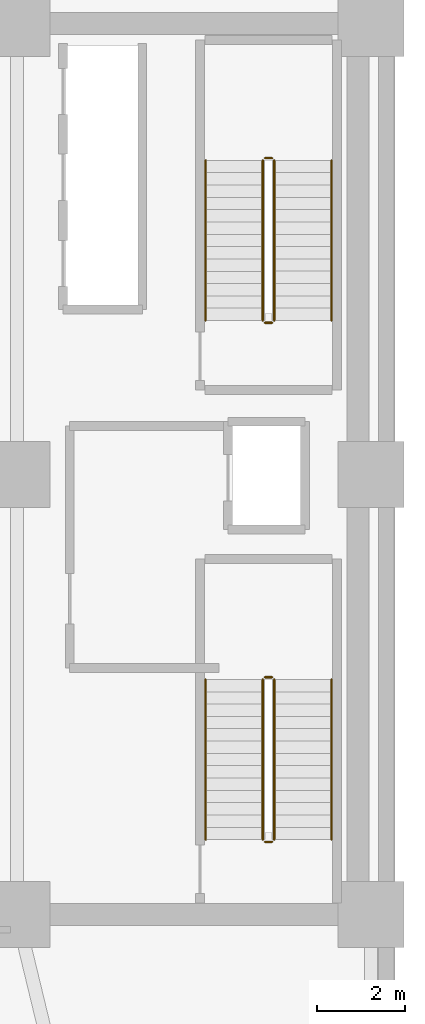
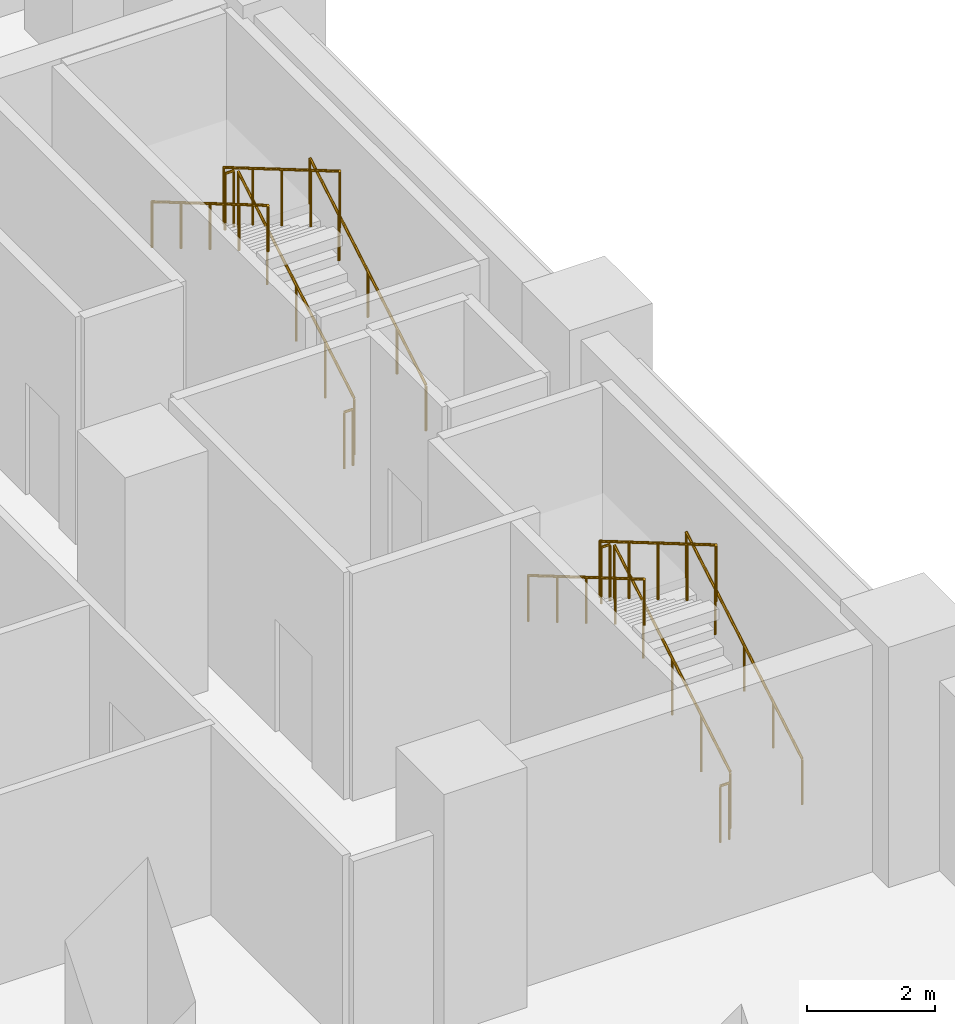
# One storey, part 14 of 14: 12 railings.
"""IFC4 building model written with IfcOpenShell, lengths in metres."""

from ifc_helpers import new_model, si_unit, direction, frame, origin, origin_2d, place, context, subcontext, project, spatial, circle, extrude, material, layer, layer_set, type_object, element, save


model = new_model("IFC4")

# Units and contexts
model_context = context("Model", 3, precision=1e-05, world=origin(), true_north=direction((0.0, 1.0)))
body_context = subcontext(model_context, "Body", "Model", "MODEL_VIEW")
ifc_project = project(units=[si_unit("LENGTHUNIT", "METRE"), si_unit("AREAUNIT", "SQUARE_METRE"), si_unit("VOLUMEUNIT", "CUBIC_METRE"), si_unit("PLANEANGLEUNIT", "RADIAN"), si_unit("MASSUNIT", "GRAM", prefix="KILO")], contexts=[model_context])

# Site, building, storey
site_placement = place(None, origin())
site = spatial("IfcSite", under=ifc_project, at=site_placement, CompositionType="ELEMENT")
building_placement = place(site_placement, origin())
building = spatial("IfcBuilding", under=site, at=building_placement, Name="Kuzgunbayir Cultural Tower", CompositionType="ELEMENT")
storey_placement = place(building_placement, frame((0.0, 0.0, 13.0)))
storey = spatial("IfcBuildingStorey", under=building, at=storey_placement, Name="L03", CompositionType="ELEMENT", Elevation=13.0)

# Railings
ifc_material_1 = material(Name="Brushed Stainless Steel", Category="steel")
ifc_layer_1 = layer(ifc_material_1, 0.050048828125)
ifc_layer_set_1 = layer_set([ifc_layer_1], Name="Brushed Stainless Steel")
railing_type_1 = type_object("IfcRailingType", Name="RLG-STAIR-HANDRAIL", PredefinedType="HANDRAIL", material=ifc_layer_set_1)
railing_1_placement = place(storey_placement, frame((71.75, 23.699951171875, 0.164306640625)))
element("IfcRailing", 1, at=railing_1_placement, inside=storey, type_object=railing_type_1, Name="L03 ST-3 stair handrail 1", PredefinedType="HANDRAIL", context=body_context, shape_type="SweptSolid", body=[
    extrude(circle(Radius=0.02392578125, at=origin_2d()), frame((0.0, 0.0, 0.8759765625), z_axis=(0.0, 0.862504707072, 0.506049039401), x_axis=(-1.0, 0.0, 0.0)), (0.0, 0.0, 1.0), 4.220458984375),
    extrude(circle(Radius=0.02099609375, at=origin_2d()), origin(), (0.0, 0.0, 1.0), 0.851806640625),
    extrude(circle(Radius=0.02099609375, at=origin_2d()), frame((0.0, 0.91015625, 0.533935546875)), (0.0, 0.0, 1.0), 0.851806640625),
    extrude(circle(Radius=0.02099609375, at=origin_2d()), frame((0.0, 1.820068359375, 1.06787109375)), (0.0, 0.0, 1.0), 0.851806640625),
    extrude(circle(Radius=0.02099609375, at=origin_2d()), frame((0.0, 2.72998046875, 1.601806640625)), (0.0, 0.0, 1.0), 0.851806640625),
    extrude(circle(Radius=0.02099609375, at=origin_2d()), frame((0.0, 3.64013671875, 2.1357421875)), (0.0, 0.0, 1.0), 0.851806640625),
])
railing_2_placement = place(storey_placement, frame((68.889892578125, 27.340087890625, 2.46435546875)))
element("IfcRailing", 2, at=railing_2_placement, inside=storey, type_object=railing_type_1, Name="L03 ST-3 stair handrail 2", PredefinedType="HANDRAIL", context=body_context, shape_type="SweptSolid", body=[
    extrude(circle(Radius=0.02392578125, at=origin_2d()), frame((0.0, 0.0, 0.8759765625), z_axis=(0.0, -0.862504707072, 0.506049039401), x_axis=(1.0, 0.0, 0.0)), (0.0, 0.0, 1.0), 4.220458984375),
    extrude(circle(Radius=0.02099609375, at=origin_2d()), origin(), (0.0, 0.0, 1.0), 0.851806640625),
    extrude(circle(Radius=0.02099609375, at=origin_2d()), frame((0.0, -0.91015625, 0.533935546875)), (0.0, 0.0, 1.0), 0.851806640625),
    extrude(circle(Radius=0.02099609375, at=origin_2d()), frame((0.0, -1.820068359375, 1.06787109375)), (0.0, 0.0, 1.0), 0.851806640625),
    extrude(circle(Radius=0.02099609375, at=origin_2d()), frame((0.0, -2.72998046875, 1.601806640625)), (0.0, 0.0, 1.0), 0.851806640625),
    extrude(circle(Radius=0.02099609375, at=origin_2d()), frame((0.0, -3.64013671875, 2.1357421875)), (0.0, 0.0, 1.0), 0.851806640625),
])
railing_3_placement = place(storey_placement, frame((71.75, 35.5, 0.164306640625)))
element("IfcRailing", 3, at=railing_3_placement, inside=storey, type_object=railing_type_1, Name="L03 ST-4 stair handrail 1", PredefinedType="HANDRAIL", context=body_context, shape_type="SweptSolid", body=[
    extrude(circle(Radius=0.02392578125, at=origin_2d()), frame((0.0, 0.0, 0.8759765625), z_axis=(0.0, 0.862489892076, 0.506074289079), x_axis=(-1.0, 0.0, 0.0)), (0.0, 0.0, 1.0), 4.22021484375),
    extrude(circle(Radius=0.02099609375, at=origin_2d()), origin(), (0.0, 0.0, 1.0), 0.851806640625),
    extrude(circle(Radius=0.02099609375, at=origin_2d()), frame((0.0, 0.909912109375, 0.533935546875)), (0.0, 0.0, 1.0), 0.851806640625),
    extrude(circle(Radius=0.02099609375, at=origin_2d()), frame((0.0, 1.81982421875, 1.06787109375)), (0.0, 0.0, 1.0), 0.851806640625),
    extrude(circle(Radius=0.02099609375, at=origin_2d()), frame((0.0, 2.72998046875, 1.601806640625)), (0.0, 0.0, 1.0), 0.851806640625),
    extrude(circle(Radius=0.02099609375, at=origin_2d()), frame((0.0, 3.639892578125, 2.1357421875)), (0.0, 0.0, 1.0), 0.851806640625),
])
railing_4_placement = place(storey_placement, frame((68.889892578125, 39.139892578125, 2.46435546875)))
element("IfcRailing", 4, at=railing_4_placement, inside=storey, type_object=railing_type_1, Name="L03 ST-4 stair handrail 2", PredefinedType="HANDRAIL", context=body_context, shape_type="SweptSolid", body=[
    extrude(circle(Radius=0.02392578125, at=origin_2d()), frame((0.0, 0.0, 0.8759765625), z_axis=(0.0, -0.862489892076, 0.506074289079), x_axis=(1.0, 0.0, 0.0)), (0.0, 0.0, 1.0), 4.22021484375),
    extrude(circle(Radius=0.02099609375, at=origin_2d()), origin(), (0.0, 0.0, 1.0), 0.851806640625),
    extrude(circle(Radius=0.02099609375, at=origin_2d()), frame((0.0, -0.909912109375, 0.533935546875)), (0.0, 0.0, 1.0), 0.851806640625),
    extrude(circle(Radius=0.02099609375, at=origin_2d()), frame((0.0, -1.81982421875, 1.06787109375)), (0.0, 0.0, 1.0), 0.851806640625),
    extrude(circle(Radius=0.02099609375, at=origin_2d()), frame((0.0, -2.72998046875, 1.601806640625)), (0.0, 0.0, 1.0), 0.851806640625),
    extrude(circle(Radius=0.02099609375, at=origin_2d()), frame((0.0, -3.639892578125, 2.1357421875)), (0.0, 0.0, 1.0), 0.851806640625),
])
ifc_material_2 = material(Name="Painted Steel Balustrade", Category="steel")
ifc_layer_2 = layer(ifc_material_2, 0.06005859375)
ifc_layer_set_2 = layer_set([ifc_layer_2], Name="Painted Steel Balustrade")
railing_type_2 = type_object("IfcRailingType", Name="RLG-WELL-GUARD", PredefinedType="GUARDRAIL", material=ifc_layer_set_2)
railing_5_placement = place(storey_placement, frame((70.449951171875, 23.699951171875, 0.164306640625)))
element("IfcRailing", 5, at=railing_5_placement, inside=storey, type_object=railing_type_2, Name="L03 ST-3 stair guard 1", PredefinedType="GUARDRAIL", context=body_context, shape_type="SweptSolid", body=[
    extrude(circle(Radius=0.02392578125, at=origin_2d()), frame((0.0, 0.0, 1.076171875), z_axis=(0.0, 0.862504707072, 0.506049039401), x_axis=(-1.0, 0.0, 0.0)), (0.0, 0.0, 1.0), 4.220458984375),
    extrude(circle(Radius=0.02099609375, at=origin_2d()), origin(), (0.0, 0.0, 1.0), 1.052001953125),
    extrude(circle(Radius=0.02099609375, at=origin_2d()), frame((0.0, 0.91015625, 0.533935546875)), (0.0, 0.0, 1.0), 1.052001953125),
    extrude(circle(Radius=0.02099609375, at=origin_2d()), frame((0.0, 1.820068359375, 1.06787109375)), (0.0, 0.0, 1.0), 1.052001953125),
    extrude(circle(Radius=0.02099609375, at=origin_2d()), frame((0.0, 2.72998046875, 1.601806640625)), (0.0, 0.0, 1.0), 1.052001953125),
    extrude(circle(Radius=0.02099609375, at=origin_2d()), frame((0.0, 3.64013671875, 2.1357421875)), (0.0, 0.0, 1.0), 1.052001953125),
])
railing_6_placement = place(storey_placement, frame((70.39990234375, 27.389892578125, 2.300048828125)))
element("IfcRailing", 6, at=railing_6_placement, inside=storey, type_object=railing_type_2, Name="L03 ST-3 stair guard 2", PredefinedType="GUARDRAIL", context=body_context, shape_type="SweptSolid", body=[
    extrude(circle(Radius=0.02392578125, at=origin_2d()), frame((0.0, 0.0, 1.076171875), z_axis=(-1.0, 0.0, 0.0), x_axis=(0.0, -1.0, 0.0)), (0.0, 0.0, 1.0), 0.159912109375),
    extrude(circle(Radius=0.02099609375, at=origin_2d()), origin(), (0.0, 0.0, 1.0), 1.052001953125),
    extrude(circle(Radius=0.02099609375, at=origin_2d()), frame((-0.159912109375, 0.0, 0.0)), (0.0, 0.0, 1.0), 1.052001953125),
])
railing_7_placement = place(storey_placement, frame((70.18994140625, 27.340087890625, 2.46435546875)))
element("IfcRailing", 7, at=railing_7_placement, inside=storey, type_object=railing_type_2, Name="L03 ST-3 stair guard 3", PredefinedType="GUARDRAIL", context=body_context, shape_type="SweptSolid", body=[
    extrude(circle(Radius=0.02392578125, at=origin_2d()), frame((0.0, 0.0, 1.076171875), z_axis=(0.0, -0.862504707072, 0.506049039401), x_axis=(1.0, 0.0, 0.0)), (0.0, 0.0, 1.0), 4.220458984375),
    extrude(circle(Radius=0.02099609375, at=origin_2d()), origin(), (0.0, 0.0, 1.0), 1.052001953125),
    extrude(circle(Radius=0.02099609375, at=origin_2d()), frame((0.0, -0.91015625, 0.533935546875)), (0.0, 0.0, 1.0), 1.052001953125),
    extrude(circle(Radius=0.02099609375, at=origin_2d()), frame((0.0, -1.820068359375, 1.06787109375)), (0.0, 0.0, 1.0), 1.052001953125),
    extrude(circle(Radius=0.02099609375, at=origin_2d()), frame((0.0, -2.72998046875, 1.601806640625)), (0.0, 0.0, 1.0), 1.052001953125),
    extrude(circle(Radius=0.02099609375, at=origin_2d()), frame((0.0, -3.64013671875, 2.1357421875)), (0.0, 0.0, 1.0), 1.052001953125),
])
railing_8_placement = place(storey_placement, frame((70.39990234375, 23.64990234375, 0.0)))
element("IfcRailing", 8, at=railing_8_placement, inside=storey, type_object=railing_type_2, Name="L03 ST-3 stair guard 4", PredefinedType="GUARDRAIL", context=body_context, shape_type="SweptSolid", body=[
    extrude(circle(Radius=0.02392578125, at=origin_2d()), frame((0.0, 0.0, 1.076171875), z_axis=(-1.0, 0.0, 0.0), x_axis=(0.0, -1.0, 0.0)), (0.0, 0.0, 1.0), 0.159912109375),
    extrude(circle(Radius=0.02099609375, at=origin_2d()), origin(), (0.0, 0.0, 1.0), 1.052001953125),
    extrude(circle(Radius=0.02099609375, at=origin_2d()), frame((-0.159912109375, 0.0, 0.0)), (0.0, 0.0, 1.0), 1.052001953125),
])
railing_9_placement = place(storey_placement, frame((70.449951171875, 35.5, 0.164306640625)))
element("IfcRailing", 9, at=railing_9_placement, inside=storey, type_object=railing_type_2, Name="L03 ST-4 stair guard 1", PredefinedType="GUARDRAIL", context=body_context, shape_type="SweptSolid", body=[
    extrude(circle(Radius=0.02392578125, at=origin_2d()), frame((0.0, 0.0, 1.076171875), z_axis=(0.0, 0.862489892076, 0.506074289079), x_axis=(-1.0, 0.0, 0.0)), (0.0, 0.0, 1.0), 4.22021484375),
    extrude(circle(Radius=0.02099609375, at=origin_2d()), origin(), (0.0, 0.0, 1.0), 1.052001953125),
    extrude(circle(Radius=0.02099609375, at=origin_2d()), frame((0.0, 0.909912109375, 0.533935546875)), (0.0, 0.0, 1.0), 1.052001953125),
    extrude(circle(Radius=0.02099609375, at=origin_2d()), frame((0.0, 1.81982421875, 1.06787109375)), (0.0, 0.0, 1.0), 1.052001953125),
    extrude(circle(Radius=0.02099609375, at=origin_2d()), frame((0.0, 2.72998046875, 1.601806640625)), (0.0, 0.0, 1.0), 1.052001953125),
    extrude(circle(Radius=0.02099609375, at=origin_2d()), frame((0.0, 3.639892578125, 2.1357421875)), (0.0, 0.0, 1.0), 1.052001953125),
])
railing_10_placement = place(storey_placement, frame((70.39990234375, 39.18994140625, 2.300048828125)))
element("IfcRailing", 10, at=railing_10_placement, inside=storey, type_object=railing_type_2, Name="L03 ST-4 stair guard 2", PredefinedType="GUARDRAIL", context=body_context, shape_type="SweptSolid", body=[
    extrude(circle(Radius=0.02392578125, at=origin_2d()), frame((0.0, 0.0, 1.076171875), z_axis=(-1.0, 0.0, 0.0), x_axis=(0.0, -1.0, 0.0)), (0.0, 0.0, 1.0), 0.159912109375),
    extrude(circle(Radius=0.02099609375, at=origin_2d()), origin(), (0.0, 0.0, 1.0), 1.052001953125),
    extrude(circle(Radius=0.02099609375, at=origin_2d()), frame((-0.159912109375, 0.0, 0.0)), (0.0, 0.0, 1.0), 1.052001953125),
])
railing_11_placement = place(storey_placement, frame((70.18994140625, 39.139892578125, 2.46435546875)))
element("IfcRailing", 11, at=railing_11_placement, inside=storey, type_object=railing_type_2, Name="L03 ST-4 stair guard 3", PredefinedType="GUARDRAIL", context=body_context, shape_type="SweptSolid", body=[
    extrude(circle(Radius=0.02392578125, at=origin_2d()), frame((0.0, 0.0, 1.076171875), z_axis=(0.0, -0.862489892076, 0.506074289079), x_axis=(1.0, 0.0, 0.0)), (0.0, 0.0, 1.0), 4.22021484375),
    extrude(circle(Radius=0.02099609375, at=origin_2d()), origin(), (0.0, 0.0, 1.0), 1.052001953125),
    extrude(circle(Radius=0.02099609375, at=origin_2d()), frame((0.0, -0.909912109375, 0.533935546875)), (0.0, 0.0, 1.0), 1.052001953125),
    extrude(circle(Radius=0.02099609375, at=origin_2d()), frame((0.0, -1.81982421875, 1.06787109375)), (0.0, 0.0, 1.0), 1.052001953125),
    extrude(circle(Radius=0.02099609375, at=origin_2d()), frame((0.0, -2.72998046875, 1.601806640625)), (0.0, 0.0, 1.0), 1.052001953125),
    extrude(circle(Radius=0.02099609375, at=origin_2d()), frame((0.0, -3.639892578125, 2.1357421875)), (0.0, 0.0, 1.0), 1.052001953125),
])
railing_12_placement = place(storey_placement, frame((70.39990234375, 35.449951171875, 0.0)))
element("IfcRailing", 12, at=railing_12_placement, inside=storey, type_object=railing_type_2, Name="L03 ST-4 stair guard 4", PredefinedType="GUARDRAIL", context=body_context, shape_type="SweptSolid", body=[
    extrude(circle(Radius=0.02392578125, at=origin_2d()), frame((0.0, 0.0, 1.076171875), z_axis=(-1.0, 0.0, 0.0), x_axis=(0.0, -1.0, 0.0)), (0.0, 0.0, 1.0), 0.159912109375),
    extrude(circle(Radius=0.02099609375, at=origin_2d()), origin(), (0.0, 0.0, 1.0), 1.052001953125),
    extrude(circle(Radius=0.02099609375, at=origin_2d()), frame((-0.159912109375, 0.0, 0.0)), (0.0, 0.0, 1.0), 1.052001953125),
])

save(model, "model.ifc")
